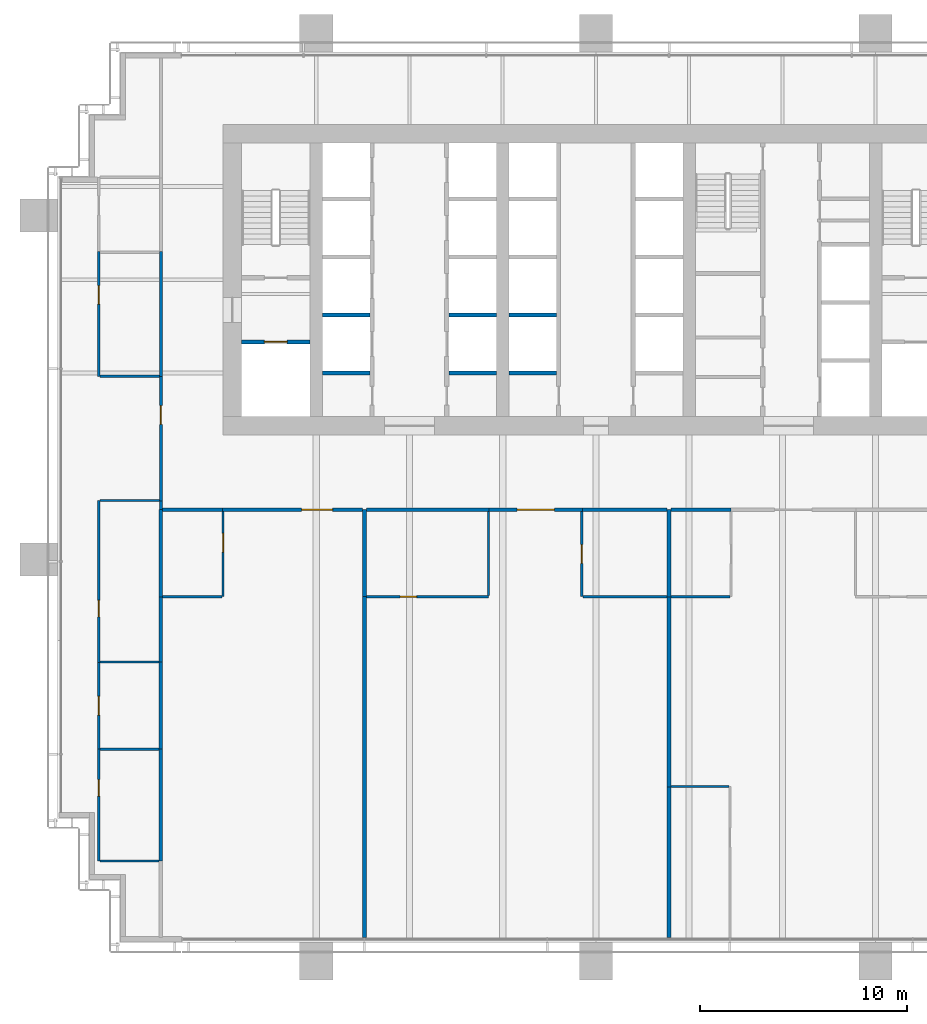
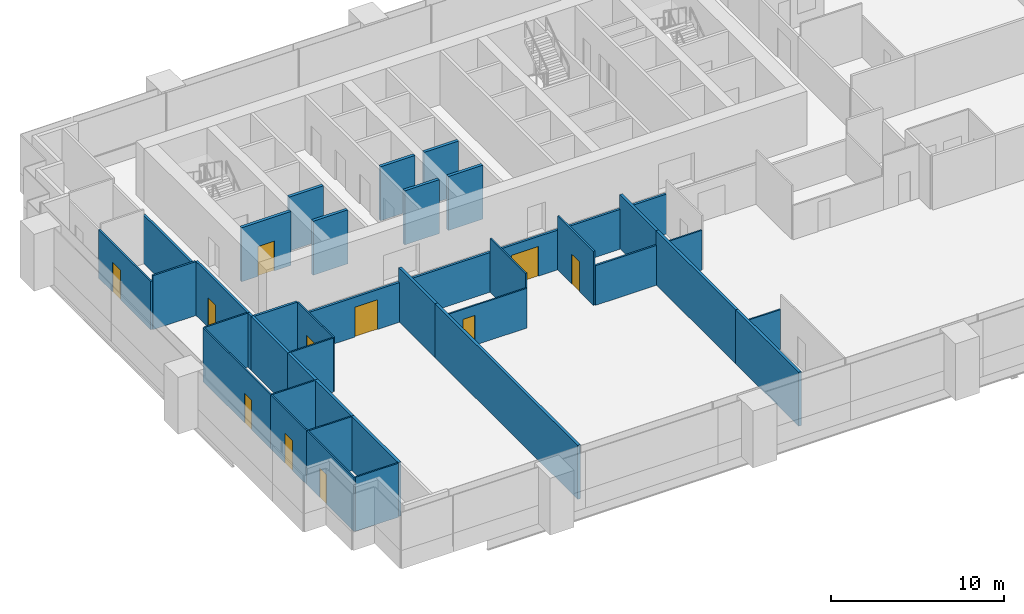
# One storey, part 12 of 19: 42 walls, 11 doors, 11 openings.
"""IFC4 building model written with IfcOpenShell, lengths in metres."""

from ifc_helpers import new_model, si_unit, direction, frame, frame_2d, origin, place, context, subcontext, project, spatial, rectangle, extrude, material, layer, layer_set, type_object, element, fill, save


model = new_model("IFC4")

# Units and contexts
model_context = context("Model", 3, precision=1e-05, world=origin(), true_north=direction((0.0, 1.0)))
body_context = subcontext(model_context, "Body", "Model", "MODEL_VIEW")
ifc_project = project(units=[si_unit("LENGTHUNIT", "METRE"), si_unit("AREAUNIT", "SQUARE_METRE"), si_unit("VOLUMEUNIT", "CUBIC_METRE"), si_unit("PLANEANGLEUNIT", "RADIAN"), si_unit("MASSUNIT", "GRAM", prefix="KILO")], contexts=[model_context])

# Site, building, storey
site_placement = place(None, origin())
site = spatial("IfcSite", under=ifc_project, at=site_placement, CompositionType="ELEMENT")
building_placement = place(site_placement, origin())
building = spatial("IfcBuilding", under=site, at=building_placement, Name="Rattan Terrace Tower", CompositionType="ELEMENT")
storey_placement = place(building_placement, frame((0.0, 0.0, 87.699951171875)))
storey = spatial("IfcBuildingStorey", under=building, at=storey_placement, Name="L19", CompositionType="ELEMENT", Elevation=87.699951171875)

# Wall, opening, door
ifc_material_1 = material(Name="Gypsum board partition")
ifc_layer_1 = layer(ifc_material_1, 0.199951171875)
ifc_layer_set_1 = layer_set([ifc_layer_1], Name="Core partition 200")
wall_type_1 = type_object("IfcWallType", Name="Core partition 200", PredefinedType="PARTITIONING", material=ifc_layer_set_1)
wall_1_placement = place(storey_placement, frame((-17.10009765625, -3.0, 0.0), z_axis=(0.0, 0.0, 1.0), x_axis=(1.0, 0.0, 0.0)))
wall_1 = element("IfcWall", 1, at=wall_1_placement, inside=storey, type_object=wall_type_1, Name="Fire-fighting lobby wall", PredefinedType="PARTITIONING", context=body_context, shape_type="SweptSolid", body=[
    extrude(rectangle(XDim=3.300048828125, YDim=0.199951171875, at=frame_2d((1.64990234375, 0.0))), origin(), (0.0, 0.0, 1.0), 3.800048828125),
])
opening_1_placement = place(wall_1_placement, frame((1.10009765625, 0.0, 0.0)))
opening_1 = element("IfcOpeningElement", 2, at=opening_1_placement, cuts=wall_1, Name="Opening L19-LD-FF1", PredefinedType="OPENING", context=body_context, shape_type="SweptSolid", body=[
    extrude(rectangle(XDim=1.10009765625, YDim=2.10009765625, at=frame_2d((0.550048828125, 1.050048828125))), frame((0.0, 0.110595703125, 0.0), z_axis=(0.0, -1.0, 0.0), x_axis=(1.0, 0.0, 0.0)), (0.0, 0.0, 1.0), 0.220947265625),
])
ifc_material_2 = material(Name="Brushed stainless landing door panel")
door_type_1 = type_object("IfcDoorType", Name="Core lift landing door 1100", OperationType="DOUBLE_DOOR_SLIDING", PredefinedType="DOOR", material=ifc_material_2)
door_1_placement = place(opening_1_placement, origin())
door_1 = element("IfcDoor", 3, at=door_1_placement, inside=storey, type_object=door_type_1, Name="Door L19-LD-FF1", OperationType="DOUBLE_DOOR_SLIDING", OverallHeight=2.10009765625, OverallWidth=1.10009765625, PredefinedType="DOOR", context=body_context, shape_type="SweptSolid", body=[
    extrude(rectangle(XDim=1.10009765625, YDim=2.10009765625, at=frame_2d((0.550048828125, 1.050048828125))), frame((0.0, 0.02490234375, 0.0), z_axis=(0.0, -1.0, 0.0), x_axis=(1.0, 0.0, 0.0)), (0.0, 0.0, 1.0), 0.050048828125),
])
fill(opening_1, door_1)

# Walls
ifc_material_3 = material(Name="Double steel stud acoustic partition, gypsum board, mineral wool, fire rated", Category="steel")
ifc_layer_2 = layer(ifc_material_3, 0.179931640625)
ifc_layer_set_2 = layer_set([ifc_layer_2], Name="Floors Acoustic Party Wall 180")
wall_type_2 = type_object("IfcWallType", Name="Floors Acoustic Party Wall 180", PredefinedType="PARTITIONING", material=ifc_layer_set_2)
wall_2_placement = place(storey_placement, frame((-21.0, -22.659912109375, 0.0), z_axis=(0.0, 0.0, 1.0), x_axis=(0.0, -1.0, 0.0)))
element("IfcWall", 4, at=wall_2_placement, inside=storey, type_object=wall_type_2, Name="pt-L19-031", PredefinedType="PARTITIONING", context=body_context, shape_type="SweptSolid", body=[
    extrude(rectangle(XDim=5.400146484375, YDim=0.179931640625, at=frame_2d((2.7001953125, 0.0))), origin(), (0.0, 0.0, 1.0), 3.800048828125),
])
wall_3_placement = place(storey_placement, frame((-21.0, -18.4599609375, 0.0), z_axis=(0.0, 0.0, 1.0), x_axis=(0.0, -1.0, 0.0)))
element("IfcWall", 5, at=wall_3_placement, inside=storey, type_object=wall_type_2, Name="pt-L19-033", PredefinedType="PARTITIONING", context=body_context, shape_type="SweptSolid", body=[
    extrude(rectangle(XDim=4.199951171875, YDim=0.179931640625, at=frame_2d((2.10009765625, 0.0))), origin(), (0.0, 0.0, 1.0), 3.800048828125),
])
wall_4_placement = place(storey_placement, frame((-21.0, -15.320068359375, 0.0), z_axis=(0.0, 0.0, 1.0), x_axis=(0.0, -1.0, 0.0)))
element("IfcWall", 6, at=wall_4_placement, inside=storey, type_object=wall_type_2, Name="pt-L19-034", PredefinedType="PARTITIONING", context=body_context, shape_type="SweptSolid", body=[
    extrude(rectangle(XDim=3.139892578125, YDim=0.179931640625, at=frame_2d((1.56982421875, 0.0))), origin(), (0.0, 0.0, 1.0), 3.800048828125),
])
wall_5_placement = place(storey_placement, frame((-21.0, -11.080078125, 0.0), z_axis=(0.0, 0.0, 1.0), x_axis=(0.0, -1.0, 0.0)))
element("IfcWall", 7, at=wall_5_placement, inside=storey, type_object=wall_type_2, Name="pt-L19-035", PredefinedType="PARTITIONING", context=body_context, shape_type="SweptSolid", body=[
    extrude(rectangle(XDim=4.239990234375, YDim=0.179931640625, at=frame_2d((2.1201171875, 0.0))), origin(), (0.0, 0.0, 1.0), 3.800048828125),
])
wall_6_placement = place(storey_placement, frame((-11.176025390625, -15.280029296875, 0.0), z_axis=(0.0, 0.0, 1.0), x_axis=(0.0, -1.0, 0.0)))
element("IfcWall", 8, at=wall_6_placement, inside=storey, type_object=wall_type_2, Name="pt-L19-039", PredefinedType="PARTITIONING", context=body_context, shape_type="SweptSolid", body=[
    extrude(rectangle(XDim=16.4599609375, YDim=0.179931640625, at=frame_2d((8.22998046875, 0.0))), origin(), (0.0, 0.0, 1.0), 3.800048828125),
])
wall_7_placement = place(storey_placement, frame((-11.176025390625, -11.10009765625, 0.0), z_axis=(0.0, 0.0, 1.0), x_axis=(0.0, -1.0, 0.0)))
element("IfcWall", 9, at=wall_7_placement, inside=storey, type_object=wall_type_2, Name="pt-L19-040", PredefinedType="PARTITIONING", context=body_context, shape_type="SweptSolid", body=[
    extrude(rectangle(XDim=4.179931640625, YDim=0.179931640625, at=frame_2d((2.08984375, 0.0))), origin(), (0.0, 0.0, 1.0), 3.800048828125),
])
wall_8_placement = place(storey_placement, frame((3.529052734375, -15.300048828125, 0.0), z_axis=(0.0, 0.0, 1.0), x_axis=(0.0, -1.0, 0.0)))
element("IfcWall", 10, at=wall_8_placement, inside=storey, type_object=wall_type_2, Name="pt-L19-045", PredefinedType="PARTITIONING", context=body_context, shape_type="SweptSolid", body=[
    extrude(rectangle(XDim=9.179931640625, YDim=0.179931640625, at=frame_2d((4.58984375, 0.0))), origin(), (0.0, 0.0, 1.0), 3.800048828125),
])
wall_9_placement = place(storey_placement, frame((3.529052734375, -24.47998046875, 0.0), z_axis=(0.0, 0.0, 1.0), x_axis=(0.0, -1.0, 0.0)))
element("IfcWall", 11, at=wall_9_placement, inside=storey, type_object=wall_type_2, Name="pt-L19-046", PredefinedType="PARTITIONING", context=body_context, shape_type="SweptSolid", body=[
    extrude(rectangle(XDim=7.260009765625, YDim=0.179931640625, at=frame_2d((3.6298828125, 0.0))), origin(), (0.0, 0.0, 1.0), 3.800048828125),
])
wall_10_placement = place(storey_placement, frame((3.529052734375, -11.10009765625, 0.0), z_axis=(0.0, 0.0, 1.0), x_axis=(0.0, -1.0, 0.0)))
element("IfcWall", 12, at=wall_10_placement, inside=storey, type_object=wall_type_2, Name="pt-L19-047", PredefinedType="PARTITIONING", context=body_context, shape_type="SweptSolid", body=[
    extrude(rectangle(XDim=4.199951171875, YDim=0.179931640625, at=frame_2d((2.10009765625, 0.0))), origin(), (0.0, 0.0, 1.0), 3.800048828125),
])

# Wall, opening, door
ifc_material_4 = material(Name="Gypsum board partition on steel studs", Category="steel")
ifc_layer_3 = layer(ifc_material_4, 0.10009765625)
ifc_layer_set_3 = layer_set([ifc_layer_3], Name="Floors Partition 100")
wall_type_3 = type_object("IfcWallType", Name="Floors Partition 100", PredefinedType="PARTITIONING", material=ifc_layer_set_3)
wall_11_placement = place(storey_placement, frame((-24.0, -22.639892578125, 0.0), z_axis=(0.0, 0.0, 1.0), x_axis=(0.0, -1.0, 0.0)))
wall_11 = element("IfcWall", 13, at=wall_11_placement, inside=storey, type_object=wall_type_3, Name="pt-L19-020", PredefinedType="PARTITIONING", context=body_context, shape_type="SweptSolid", body=[
    extrude(rectangle(XDim=5.420166015625, YDim=0.10009765625, at=frame_2d((2.7099609375, 0.0))), origin(), (0.0, 0.0, 1.0), 3.800048828125),
])
opening_2_placement = place(wall_11_placement, frame((1.486083984375, 0.0, 0.0)))
opening_2 = element("IfcOpeningElement", 14, at=opening_2_placement, cuts=wall_11, Name="Opening L19-D101", PredefinedType="OPENING", context=body_context, shape_type="SweptSolid", body=[
    extrude(rectangle(XDim=0.800048828125, YDim=2.10009765625, at=frame_2d((0.39990234375, 1.050048828125))), frame((0.0, 0.060546875, 0.0), z_axis=(0.0, -1.0, 0.0), x_axis=(1.0, 0.0, 0.0)), (0.0, 0.0, 1.0), 0.12109375),
])
ifc_material_5 = material(Name="Solid core timber door, painted", Category="wood")
door_type_2 = type_object("IfcDoorType", Name="Floors Store Door 800x2100", OperationType="NOTDEFINED", PredefinedType="DOOR", material=ifc_material_5)
door_2_placement = place(opening_2_placement, origin())
door_2 = element("IfcDoor", 15, at=door_2_placement, inside=storey, type_object=door_type_2, Name="d-L19-101", OperationType="SINGLE_SWING_LEFT", OverallHeight=2.10009765625, OverallWidth=0.800048828125, PredefinedType="DOOR", context=body_context, shape_type="SweptSolid", body=[
    extrude(rectangle(XDim=0.800048828125, YDim=2.10009765625, at=frame_2d((0.39990234375, 1.050048828125))), frame((0.0, 0.02490234375, 0.0), z_axis=(0.0, -1.0, 0.0), x_axis=(1.0, 0.0, 0.0)), (0.0, 0.0, 1.0), 0.050048828125),
])
fill(opening_2, door_2)

# Wall
wall_12_placement = place(storey_placement, frame((-23.949951171875, -28.06005859375, 0.0), z_axis=(0.0, 0.0, 1.0), x_axis=(1.0, 0.0, 0.0)))
element("IfcWall", 16, at=wall_12_placement, inside=storey, type_object=wall_type_3, Name="pt-L19-021", PredefinedType="PARTITIONING", context=body_context, shape_type="SweptSolid", body=[
    extrude(rectangle(XDim=2.85986328125, YDim=0.10009765625, at=frame_2d((1.429931640625, 0.0))), origin(), (0.0, 0.0, 1.0), 3.800048828125),
])

# Wall, opening, door
wall_13_placement = place(storey_placement, frame((-24.0, -18.47998046875, 0.0), z_axis=(0.0, 0.0, 1.0), x_axis=(0.0, -1.0, 0.0)))
wall_13 = element("IfcWall", 17, at=wall_13_placement, inside=storey, type_object=wall_type_3, Name="pt-L19-022", PredefinedType="PARTITIONING", context=body_context, shape_type="SweptSolid", body=[
    extrude(rectangle(XDim=4.159912109375, YDim=0.10009765625, at=frame_2d((2.080078125, 0.0))), origin(), (0.0, 0.0, 1.0), 3.800048828125),
])
opening_3_placement = place(wall_13_placement, frame((1.6298828125, 0.0, 0.0)))
opening_3 = element("IfcOpeningElement", 18, at=opening_3_placement, cuts=wall_13, Name="Opening L19-D102", PredefinedType="OPENING", context=body_context, shape_type="SweptSolid", body=[
    extrude(rectangle(XDim=0.89990234375, YDim=2.10009765625, at=frame_2d((0.449951171875, 1.050048828125))), frame((0.0, 0.060546875, 0.0), z_axis=(0.0, -1.0, 0.0), x_axis=(1.0, 0.0, 0.0)), (0.0, 0.0, 1.0), 0.12109375),
])
ifc_material_6 = material(Name="Solid core timber door, painted", Category="wood")
door_type_3 = type_object("IfcDoorType", Name="Floors Door 900x2100", OperationType="NOTDEFINED", PredefinedType="DOOR", material=ifc_material_6)
door_3_placement = place(opening_3_placement, origin())
door_3 = element("IfcDoor", 19, at=door_3_placement, inside=storey, type_object=door_type_3, Name="d-L19-102", OperationType="SINGLE_SWING_LEFT", OverallHeight=2.10009765625, OverallWidth=0.89990234375, PredefinedType="DOOR", context=body_context, shape_type="SweptSolid", body=[
    extrude(rectangle(XDim=0.89990234375, YDim=2.10009765625, at=frame_2d((0.449951171875, 1.050048828125))), frame((0.0, 0.02490234375, 0.0), z_axis=(0.0, -1.0, 0.0), x_axis=(1.0, 0.0, 0.0)), (0.0, 0.0, 1.0), 0.050048828125),
])
fill(opening_3, door_3)

wall_14_placement = place(storey_placement, frame((-24.0, -10.659912109375, 0.0), z_axis=(0.0, 0.0, 1.0), x_axis=(0.0, -1.0, 0.0)))
wall_14 = element("IfcWall", 20, at=wall_14_placement, inside=storey, type_object=wall_type_3, Name="pt-L19-023", PredefinedType="PARTITIONING", context=body_context, shape_type="SweptSolid", body=[
    extrude(rectangle(XDim=7.820068359375, YDim=0.10009765625, at=frame_2d((3.91015625, 0.0))), origin(), (0.0, 0.0, 1.0), 3.800048828125),
])
opening_4_placement = place(wall_14_placement, frame((4.81396484375, 0.0, 0.0)))
opening_4 = element("IfcOpeningElement", 21, at=opening_4_placement, cuts=wall_14, Name="Opening L19-D103", PredefinedType="OPENING", context=body_context, shape_type="SweptSolid", body=[
    extrude(rectangle(XDim=0.800048828125, YDim=2.10009765625, at=frame_2d((0.39990234375, 1.050048828125))), frame((0.0, 0.060546875, 0.0), z_axis=(0.0, -1.0, 0.0), x_axis=(1.0, 0.0, 0.0)), (0.0, 0.0, 1.0), 0.12109375),
])
door_4_placement = place(opening_4_placement, origin())
door_4 = element("IfcDoor", 22, at=door_4_placement, inside=storey, type_object=door_type_2, Name="d-L19-103", OperationType="SINGLE_SWING_RIGHT", OverallHeight=2.10009765625, OverallWidth=0.800048828125, PredefinedType="DOOR", context=body_context, shape_type="SweptSolid", body=[
    extrude(rectangle(XDim=0.800048828125, YDim=2.10009765625, at=frame_2d((0.39990234375, 1.050048828125))), frame((0.0, 0.02490234375, 0.0), z_axis=(0.0, -1.0, 0.0), x_axis=(1.0, 0.0, 0.0)), (0.0, 0.0, 1.0), 0.050048828125),
])
fill(opening_4, door_4)

# Walls
wall_15_placement = place(storey_placement, frame((-21.074951171875, -10.659912109375, 0.0), z_axis=(0.0, 0.0, 1.0), x_axis=(-1.0, 0.0, 0.0)))
element("IfcWall", 23, at=wall_15_placement, inside=storey, type_object=wall_type_3, Name="pt-L19-024", PredefinedType="PARTITIONING", context=body_context, shape_type="SweptSolid", body=[
    extrude(rectangle(XDim=2.875, YDim=0.10009765625, at=frame_2d((1.4375, 0.0))), origin(), (0.0, 0.0, 1.0), 3.800048828125),
])
for number, where, z_axis, x_axis, name in (
    (24, (-23.949951171875, -22.659912109375, 0.0), (0.0, 0.0, 1.0), (1.0, 0.0, 0.0), "pt-L19-030"),
    (25, (-23.949951171875, -18.4599609375, 0.0), (0.0, 0.0, 1.0), (1.0, 0.0, 0.0), "pt-L19-032"),
    (26, (-20.909912109375, -15.300048828125, 0.0), (0.0, 0.0, 1.0), (1.0, 0.0, 0.0), "pt-L19-037"),
):
    element("IfcWall", number, at=place(storey_placement, frame(where, z_axis=z_axis, x_axis=x_axis)), inside=storey, type_object=wall_type_3, Name=name, PredefinedType="PARTITIONING", context=body_context, shape_type="SweptSolid", body=[
        extrude(rectangle(XDim=2.85986328125, YDim=0.10009765625, at=frame_2d((1.429931640625, 0.0))), origin(), (0.0, 0.0, 1.0), 3.800048828125),
    ])

# Wall, opening, door
wall_16_placement = place(storey_placement, frame((-18.0, -15.300048828125, 0.0), z_axis=(0.0, 0.0, 1.0), x_axis=(0.0, 1.0, 0.0)))
wall_16 = element("IfcWall", 27, at=wall_16_placement, inside=storey, type_object=wall_type_3, Name="pt-L19-038", PredefinedType="PARTITIONING", context=body_context, shape_type="SweptSolid", body=[
    extrude(rectangle(XDim=4.125, YDim=0.10009765625, at=frame_2d((2.0625, 0.0))), origin(), (0.0, 0.0, 1.0), 3.800048828125),
])
opening_5_placement = place(wall_16_placement, frame((2.156982421875, 0.0, 0.0)))
opening_5 = element("IfcOpeningElement", 28, at=opening_5_placement, cuts=wall_16, Name="Opening L19-D107", PredefinedType="OPENING", context=body_context, shape_type="SweptSolid", body=[
    extrude(rectangle(XDim=0.89990234375, YDim=2.10009765625, at=frame_2d((0.449951171875, 1.050048828125))), frame((0.0, 0.060546875, 0.0), z_axis=(0.0, -1.0, 0.0), x_axis=(1.0, 0.0, 0.0)), (0.0, 0.0, 1.0), 0.12109375),
])
door_5_placement = place(opening_5_placement, origin())
door_5 = element("IfcDoor", 29, at=door_5_placement, inside=storey, type_object=door_type_3, Name="d-L19-107", OperationType="SINGLE_SWING_RIGHT", OverallHeight=2.10009765625, OverallWidth=0.89990234375, PredefinedType="DOOR", context=body_context, shape_type="SweptSolid", body=[
    extrude(rectangle(XDim=0.89990234375, YDim=2.10009765625, at=frame_2d((0.449951171875, 1.050048828125))), frame((0.0, 0.02490234375, 0.0), z_axis=(0.0, -1.0, 0.0), x_axis=(1.0, 0.0, 0.0)), (0.0, 0.0, 1.0), 0.050048828125),
])
fill(opening_5, door_5)

wall_17_placement = place(storey_placement, frame((-11.0859375, -15.300048828125, 0.0), z_axis=(0.0, 0.0, 1.0), x_axis=(1.0, 0.0, 0.0)))
wall_17 = element("IfcWall", 30, at=wall_17_placement, inside=storey, type_object=wall_type_3, Name="pt-L19-041", PredefinedType="PARTITIONING", context=body_context, shape_type="SweptSolid", body=[
    extrude(rectangle(XDim=5.909912109375, YDim=0.10009765625, at=frame_2d((2.955078125, 0.0))), origin(), (0.0, 0.0, 1.0), 2.800048828125),
])
opening_6_placement = place(wall_17_placement, frame((1.633056640625, 0.0, 0.0)))
opening_6 = element("IfcOpeningElement", 31, at=opening_6_placement, cuts=wall_17, Name="Opening L19-D109", PredefinedType="OPENING", context=body_context, shape_type="SweptSolid", body=[
    extrude(rectangle(XDim=0.800048828125, YDim=2.10009765625, at=frame_2d((0.39990234375, 1.050048828125))), frame((0.0, 0.060546875, 0.0), z_axis=(0.0, -1.0, 0.0), x_axis=(1.0, 0.0, 0.0)), (0.0, 0.0, 1.0), 0.12109375),
])
door_6_placement = place(opening_6_placement, origin())
door_6 = element("IfcDoor", 32, at=door_6_placement, inside=storey, type_object=door_type_2, Name="d-L19-109", OperationType="SINGLE_SWING_LEFT", OverallHeight=2.10009765625, OverallWidth=0.800048828125, PredefinedType="DOOR", context=body_context, shape_type="SweptSolid", body=[
    extrude(rectangle(XDim=0.800048828125, YDim=2.10009765625, at=frame_2d((0.39990234375, 1.050048828125))), frame((0.0, 0.02490234375, 0.0), z_axis=(0.0, -1.0, 0.0), x_axis=(1.0, 0.0, 0.0)), (0.0, 0.0, 1.0), 0.050048828125),
])
fill(opening_6, door_6)

# Walls
wall_18_placement = place(storey_placement, frame((-5.176025390625, -15.25, 0.0), z_axis=(0.0, 0.0, 1.0), x_axis=(0.0, 1.0, 0.0)))
element("IfcWall", 33, at=wall_18_placement, inside=storey, type_object=wall_type_3, Name="pt-L19-042", PredefinedType="PARTITIONING", context=body_context, shape_type="SweptSolid", body=[
    extrude(rectangle(XDim=4.074951171875, YDim=0.10009765625, at=frame_2d((2.03759765625, 0.0))), origin(), (0.0, 0.0, 1.0), 3.800048828125),
])
wall_19_placement = place(storey_placement, frame((6.4208984375, -24.4599609375, 0.0), z_axis=(0.0, 0.0, 1.0), x_axis=(-1.0, 0.0, 0.0)))
element("IfcWall", 34, at=wall_19_placement, inside=storey, type_object=wall_type_3, Name="pt-L19-048", PredefinedType="PARTITIONING", context=body_context, shape_type="SweptSolid", body=[
    extrude(rectangle(XDim=2.802001953125, YDim=0.10009765625, at=frame_2d((1.40087890625, 0.0))), origin(), (0.0, 0.0, 1.0), 2.800048828125),
])
wall_20_placement = place(storey_placement, frame((3.618896484375, -15.300048828125, 0.0), z_axis=(0.0, 0.0, 1.0), x_axis=(1.0, 0.0, 0.0)))
element("IfcWall", 35, at=wall_20_placement, inside=storey, type_object=wall_type_3, Name="pt-L19-050", PredefinedType="PARTITIONING", context=body_context, shape_type="SweptSolid", body=[
    extrude(rectangle(XDim=2.860107421875, YDim=0.10009765625, at=frame_2d((1.43017578125, 0.0))), origin(), (0.0, 0.0, 1.0), 2.800048828125),
])

# Wall, opening, door
ifc_material_7 = material(Name="Gypsum board partition on steel studs, fire rated", Category="steel")
ifc_layer_4 = layer(ifc_material_7, 0.14990234375)
ifc_layer_set_4 = layer_set([ifc_layer_4], Name="Floors Tenancy Wall 150")
wall_type_4 = type_object("IfcWallType", Name="Floors Tenancy Wall 150", PredefinedType="PARTITIONING", material=ifc_layer_set_4)
wall_21_placement = place(storey_placement, frame((-21.0, -10.679931640625, 0.0), z_axis=(0.0, 0.0, 1.0), x_axis=(0.0, 1.0, 0.0)))
wall_21 = element("IfcWall", 36, at=wall_21_placement, inside=storey, type_object=wall_type_4, Name="pt-L19-001", PredefinedType="PARTITIONING", context=body_context, shape_type="SweptSolid", body=[
    extrude(rectangle(XDim=6.0, YDim=0.14990234375, at=frame_2d((3.0, 0.0))), origin(), (0.0, 0.0, 1.0), 3.800048828125),
])
opening_7_placement = place(wall_21_placement, frame((3.699951171875, 0.0, 0.0)))
opening_7 = element("IfcOpeningElement", 37, at=opening_7_placement, cuts=wall_21, Name="Opening L19-D100", PredefinedType="OPENING", context=body_context, shape_type="SweptSolid", body=[
    extrude(rectangle(XDim=0.89990234375, YDim=2.10009765625, at=frame_2d((0.449951171875, 1.050048828125))), frame((0.0, 0.08544921875, 0.0), z_axis=(0.0, -1.0, 0.0), x_axis=(1.0, 0.0, 0.0)), (0.0, 0.0, 1.0), 0.1708984375),
])
ifc_material_8 = material(Name="Steel fire door set", Category="steel")
door_type_4 = type_object("IfcDoorType", Name="Floors Fire Door FD30S 900x2100", OperationType="NOTDEFINED", PredefinedType="DOOR", material=ifc_material_8)
door_7_placement = place(opening_7_placement, origin())
door_7 = element("IfcDoor", 38, at=door_7_placement, inside=storey, type_object=door_type_4, Name="d-L19-100", OperationType="SINGLE_SWING_RIGHT", OverallHeight=2.10009765625, OverallWidth=0.89990234375, PredefinedType="DOOR", context=body_context, shape_type="SweptSolid", body=[
    extrude(rectangle(XDim=0.89990234375, YDim=2.10009765625, at=frame_2d((0.449951171875, 1.050048828125))), frame((0.0, 0.02490234375, 0.0), z_axis=(0.0, -1.0, 0.0), x_axis=(1.0, 0.0, 0.0)), (0.0, 0.0, 1.0), 0.050048828125),
])
fill(opening_7, door_7)

# Walls
wall_22_placement = place(storey_placement, frame((-21.0029296875, -11.080078125, 0.0), z_axis=(0.0, 0.0, 1.0), x_axis=(0.0, 1.0, 0.0)))
element("IfcWall", 39, at=wall_22_placement, inside=storey, type_object=wall_type_4, Name="pt-L19-003", PredefinedType="PARTITIONING", context=body_context, shape_type="SweptSolid", body=[
    extrude(rectangle(XDim=0.400146484375, YDim=0.14990234375, at=frame_2d((0.2001953125, 0.0))), origin(), (0.0, 0.0, 1.0), 3.800048828125),
])
wall_23_placement = place(storey_placement, frame((-21.0, -4.679931640625, 0.0), z_axis=(0.0, 0.0, 1.0), x_axis=(0.0, 1.0, 0.0)))
element("IfcWall", 40, at=wall_23_placement, inside=storey, type_object=wall_type_4, Name="pt-L19-004", PredefinedType="PARTITIONING", context=body_context, shape_type="SweptSolid", body=[
    extrude(rectangle(XDim=6.0400390625, YDim=0.14990234375, at=frame_2d((3.02001953125, 0.0))), origin(), (0.0, 0.0, 1.0), 3.400146484375),
])

# Wall, opening, door
wall_24_placement = place(storey_placement, frame((-11.26611328125, -11.10009765625, 0.0), z_axis=(0.0, 0.0, 1.0), x_axis=(-1.0, 0.0, 0.0)))
wall_24 = element("IfcWall", 41, at=wall_24_placement, inside=storey, type_object=wall_type_4, Name="pt-L19-006", PredefinedType="PARTITIONING", context=body_context, shape_type="SweptSolid", body=[
    extrude(rectangle(XDim=6.75390625, YDim=0.14990234375, at=frame_2d((3.376953125, 0.0))), origin(), (0.0, 0.0, 1.0), 2.800048828125),
])
opening_8_placement = place(wall_24_placement, frame((1.43798828125, 0.0, 0.0)))
opening_8 = element("IfcOpeningElement", 42, at=opening_8_placement, cuts=wall_24, Name="Opening L19-D106", PredefinedType="OPENING", context=body_context, shape_type="SweptSolid", body=[
    extrude(rectangle(XDim=1.5, YDim=2.10009765625, at=frame_2d((0.75, 1.050048828125))), frame((0.0, 0.08544921875, 0.0), z_axis=(0.0, -1.0, 0.0), x_axis=(1.0, 0.0, 0.0)), (0.0, 0.0, 1.0), 0.1708984375),
])
ifc_material_9 = material(Name="Steel fire door set", Category="steel")
door_type_5 = type_object("IfcDoorType", Name="Floors Unit Door Pair FD30S 1500x2100", OperationType="NOTDEFINED", PredefinedType="DOOR", material=ifc_material_9)
door_8_placement = place(opening_8_placement, origin())
door_8 = element("IfcDoor", 43, at=door_8_placement, inside=storey, type_object=door_type_5, Name="d-L19-106", OperationType="DOUBLE_DOOR_SINGLE_SWING", OverallHeight=2.10009765625, OverallWidth=1.5, PredefinedType="DOOR", context=body_context, shape_type="SweptSolid", body=[
    extrude(rectangle(XDim=1.5, YDim=2.10009765625, at=frame_2d((0.75, 1.050048828125))), frame((0.0, 0.02490234375, 0.0), z_axis=(0.0, -1.0, 0.0), x_axis=(1.0, 0.0, 0.0)), (0.0, 0.0, 1.0), 0.050048828125),
])
fill(opening_8, door_8)

# Wall
wall_25_placement = place(storey_placement, frame((-18.02001953125, -11.09912109375, 0.0), z_axis=(0.0, 0.0, 1.0), x_axis=(-1.0, 0.0, 0.0)))
element("IfcWall", 44, at=wall_25_placement, inside=storey, type_object=wall_type_4, Name="pt-L19-007", PredefinedType="PARTITIONING", context=body_context, shape_type="SweptSolid", body=[
    extrude(rectangle(XDim=2.889892578125, YDim=0.14990234375, at=frame_2d((1.44482421875, 0.0))), origin(), (0.0, 0.0, 1.0), 3.800048828125),
])

# Wall, opening, door
wall_26_placement = place(storey_placement, frame((-0.656005859375, -11.10009765625, 0.0), z_axis=(0.0, 0.0, 1.0), x_axis=(-1.0, 0.0, 0.0)))
wall_26 = element("IfcWall", 45, at=wall_26_placement, inside=storey, type_object=wall_type_4, Name="pt-L19-008", PredefinedType="PARTITIONING", context=body_context, shape_type="SweptSolid", body=[
    extrude(rectangle(XDim=4.5, YDim=0.14990234375, at=frame_2d((2.25, 0.0))), origin(), (0.0, 0.0, 1.0), 2.800048828125),
])
opening_9_placement = place(wall_26_placement, frame((1.35009765625, 0.0, 0.0)))
opening_9 = element("IfcOpeningElement", 46, at=opening_9_placement, cuts=wall_26, Name="Opening L19-D108", PredefinedType="OPENING", context=body_context, shape_type="SweptSolid", body=[
    extrude(rectangle(XDim=1.800048828125, YDim=2.10009765625, at=frame_2d((0.89990234375, 1.050048828125))), frame((0.0, 0.08544921875, 0.0), z_axis=(0.0, -1.0, 0.0), x_axis=(1.0, 0.0, 0.0)), (0.0, 0.0, 1.0), 0.1708984375),
])
ifc_material_10 = material(Name="Steel fire door set", Category="steel")
door_type_6 = type_object("IfcDoorType", Name="Floors Fire Door Pair FD30S 1800x2100", OperationType="NOTDEFINED", PredefinedType="DOOR", material=ifc_material_10)
door_9_placement = place(opening_9_placement, origin())
door_9 = element("IfcDoor", 47, at=door_9_placement, inside=storey, type_object=door_type_6, Name="d-L19-108", OperationType="DOUBLE_DOOR_SINGLE_SWING", OverallHeight=2.10009765625, OverallWidth=1.800048828125, PredefinedType="DOOR", context=body_context, shape_type="SweptSolid", body=[
    extrude(rectangle(XDim=1.800048828125, YDim=2.10009765625, at=frame_2d((0.89990234375, 1.050048828125))), frame((0.0, 0.02490234375, 0.0), z_axis=(0.0, -1.0, 0.0), x_axis=(1.0, 0.0, 0.0)), (0.0, 0.0, 1.0), 0.050048828125),
])
fill(opening_9, door_9)

# Walls
wall_27_placement = place(storey_placement, frame((-5.156005859375, -11.10009765625, 0.0), z_axis=(0.0, 0.0, 1.0), x_axis=(-1.0, 0.0, 0.0)))
element("IfcWall", 48, at=wall_27_placement, inside=storey, type_object=wall_type_4, Name="pt-L19-009", PredefinedType="PARTITIONING", context=body_context, shape_type="SweptSolid", body=[
    extrude(rectangle(XDim=5.929931640625, YDim=0.14990234375, at=frame_2d((2.96484375, 0.0))), origin(), (0.0, 0.0, 1.0), 2.800048828125),
])
wall_28_placement = place(storey_placement, frame((3.43896484375, -11.10009765625, 0.0), z_axis=(0.0, 0.0, 1.0), x_axis=(-1.0, 0.0, 0.0)))
element("IfcWall", 49, at=wall_28_placement, inside=storey, type_object=wall_type_4, Name="pt-L19-010", PredefinedType="PARTITIONING", context=body_context, shape_type="SweptSolid", body=[
    extrude(rectangle(XDim=4.094970703125, YDim=0.14990234375, at=frame_2d((2.04736328125, 0.0))), origin(), (0.0, 0.0, 1.0), 2.800048828125),
])
wall_29_placement = place(storey_placement, frame((6.509033203125, -11.10009765625, 0.0), z_axis=(0.0, 0.0, 1.0), x_axis=(-1.0, 0.0, 0.0)))
element("IfcWall", 50, at=wall_29_placement, inside=storey, type_object=wall_type_4, Name="pt-L19-012", PredefinedType="PARTITIONING", context=body_context, shape_type="SweptSolid", body=[
    extrude(rectangle(XDim=2.89013671875, YDim=0.14990234375, at=frame_2d((1.445068359375, 0.0))), origin(), (0.0, 0.0, 1.0), 2.800048828125),
])

# Wall, opening, door
ifc_material_11 = material(Name="Moisture resistant gypsum board partition on steel studs with service cavity", Category="steel")
ifc_layer_5 = layer(ifc_material_11, 0.1201171875)
ifc_layer_set_5 = layer_set([ifc_layer_5], Name="Floors Wet Wall 120")
wall_type_5 = type_object("IfcWallType", Name="Floors Wet Wall 120", PredefinedType="PARTITIONING", material=ifc_layer_set_5)
wall_30_placement = place(storey_placement, frame((-24.0, 1.360107421875, 0.0), z_axis=(0.0, 0.0, 1.0), x_axis=(0.0, -1.0, 0.0)))
wall_30 = element("IfcWall", 51, at=wall_30_placement, inside=storey, type_object=wall_type_5, Name="pt-L19-025", PredefinedType="PARTITIONING", context=body_context, shape_type="SweptSolid", body=[
    extrude(rectangle(XDim=6.02001953125, YDim=0.1201171875, at=frame_2d((3.010009765625, 0.0))), origin(), (0.0, 0.0, 1.0), 3.400146484375),
])
opening_10_placement = place(wall_30_placement, frame((1.635986328125, 0.0, 0.0)))
opening_10 = element("IfcOpeningElement", 52, at=opening_10_placement, cuts=wall_30, Name="Opening L19-D104", PredefinedType="OPENING", context=body_context, shape_type="SweptSolid", body=[
    extrude(rectangle(XDim=0.89990234375, YDim=2.10009765625, at=frame_2d((0.449951171875, 1.050048828125))), frame((0.0, 0.070556640625, 0.0), z_axis=(0.0, -1.0, 0.0), x_axis=(1.0, 0.0, 0.0)), (0.0, 0.0, 1.0), 0.14111328125),
])
door_10_placement = place(opening_10_placement, origin())
door_10 = element("IfcDoor", 53, at=door_10_placement, inside=storey, type_object=door_type_3, Name="d-L19-104", OperationType="SINGLE_SWING_LEFT", OverallHeight=2.10009765625, OverallWidth=0.89990234375, PredefinedType="DOOR", context=body_context, shape_type="SweptSolid", body=[
    extrude(rectangle(XDim=0.89990234375, YDim=2.10009765625, at=frame_2d((0.449951171875, 1.050048828125))), frame((0.0, 0.02490234375, 0.0), z_axis=(0.0, -1.0, 0.0), x_axis=(1.0, 0.0, 0.0)), (0.0, 0.0, 1.0), 0.050048828125),
])
fill(opening_10, door_10)

# Wall
wall_31_placement = place(storey_placement, frame((-23.93994140625, -4.659912109375, 0.0), z_axis=(0.0, 0.0, 1.0), x_axis=(1.0, 0.0, 0.0)))
element("IfcWall", 54, at=wall_31_placement, inside=storey, type_object=wall_type_5, Name="pt-L19-026", PredefinedType="PARTITIONING", context=body_context, shape_type="SweptSolid", body=[
    extrude(rectangle(XDim=2.864990234375, YDim=0.1201171875, at=frame_2d((1.4326171875, 0.0))), origin(), (0.0, 0.0, 1.0), 3.800048828125),
])

# Wall, opening, door
wall_32_placement = place(storey_placement, frame((-0.676025390625, -11.175048828125, 0.0), z_axis=(0.0, 0.0, 1.0), x_axis=(0.0, -1.0, 0.0)))
wall_32 = element("IfcWall", 55, at=wall_32_placement, inside=storey, type_object=wall_type_5, Name="pt-L19-043", PredefinedType="PARTITIONING", context=body_context, shape_type="SweptSolid", body=[
    extrude(rectangle(XDim=4.125, YDim=0.1201171875, at=frame_2d((2.0625, 0.0))), origin(), (0.0, 0.0, 1.0), 3.800048828125),
])
opening_11_placement = place(wall_32_placement, frame((1.613037109375, 0.0, 0.0)))
opening_11 = element("IfcOpeningElement", 56, at=opening_11_placement, cuts=wall_32, Name="Opening L19-D110", PredefinedType="OPENING", context=body_context, shape_type="SweptSolid", body=[
    extrude(rectangle(XDim=0.89990234375, YDim=2.10009765625, at=frame_2d((0.449951171875, 1.050048828125))), frame((0.0, 0.070556640625, 0.0), z_axis=(0.0, -1.0, 0.0), x_axis=(1.0, 0.0, 0.0)), (0.0, 0.0, 1.0), 0.14111328125),
])
door_11_placement = place(opening_11_placement, origin())
door_11 = element("IfcDoor", 57, at=door_11_placement, inside=storey, type_object=door_type_3, Name="d-L19-110", OperationType="SINGLE_SWING_LEFT", OverallHeight=2.10009765625, OverallWidth=0.89990234375, PredefinedType="DOOR", context=body_context, shape_type="SweptSolid", body=[
    extrude(rectangle(XDim=0.89990234375, YDim=2.10009765625, at=frame_2d((0.449951171875, 1.050048828125))), frame((0.0, 0.02490234375, 0.0), z_axis=(0.0, -1.0, 0.0), x_axis=(1.0, 0.0, 0.0)), (0.0, 0.0, 1.0), 0.050048828125),
])
fill(opening_11, door_11)

# Walls
wall_33_placement = place(storey_placement, frame((-0.615966796875, -15.300048828125, 0.0), z_axis=(0.0, 0.0, 1.0), x_axis=(1.0, 0.0, 0.0)))
element("IfcWall", 58, at=wall_33_placement, inside=storey, type_object=wall_type_5, Name="pt-L19-044", PredefinedType="PARTITIONING", context=body_context, shape_type="SweptSolid", body=[
    extrude(rectangle(XDim=4.054931640625, YDim=0.1201171875, at=frame_2d((2.02734375, 0.0))), origin(), (0.0, 0.0, 1.0), 2.800048828125),
])
ifc_material_12 = material(Name="Gypsum shaft wall system")
ifc_layer_6 = layer(ifc_material_12, 0.199951171875)
ifc_layer_set_6 = layer_set([ifc_layer_6], Name="Lift shaft wall 200")
wall_type_6 = type_object("IfcWallType", Name="Lift shaft wall 200", PredefinedType="PARTITIONING", material=ifc_layer_set_6)
for number, where, z_axis, x_axis, name in (
    (59, (-13.199951171875, -1.699951171875, 0.0), (0.0, 0.0, 1.0), (1.0, 0.0, 0.0), "Lift shaft wall"),
    (60, (-13.199951171875, -4.5, 0.0), (0.0, 0.0, 1.0), (1.0, 0.0, 0.0), "Lift shaft wall"),
    (61, (-7.10009765625, -1.699951171875, 0.0), (0.0, 0.0, 1.0), (1.0, 0.0, 0.0), "Lift shaft wall"),
    (62, (-7.10009765625, -4.5, 0.0), (0.0, 0.0, 1.0), (1.0, 0.0, 0.0), "Lift shaft wall"),
    (63, (-4.199951171875, -1.699951171875, 0.0), (0.0, 0.0, 1.0), (1.0, 0.0, 0.0), "Lift shaft wall"),
    (64, (-4.199951171875, -4.5, 0.0), (0.0, 0.0, 1.0), (1.0, 0.0, 0.0), "Lift shaft wall"),
):
    element("IfcWall", number, at=place(storey_placement, frame(where, z_axis=z_axis, x_axis=x_axis)), inside=storey, type_object=wall_type_6, Name=name, PredefinedType="PARTITIONING", context=body_context, shape_type="SweptSolid", body=[
        extrude(rectangle(XDim=2.300048828125, YDim=0.199951171875, at=frame_2d((1.14990234375, 0.0))), origin(), (0.0, 0.0, 1.0), 3.800048828125),
    ])

save(model, "model.ifc")
